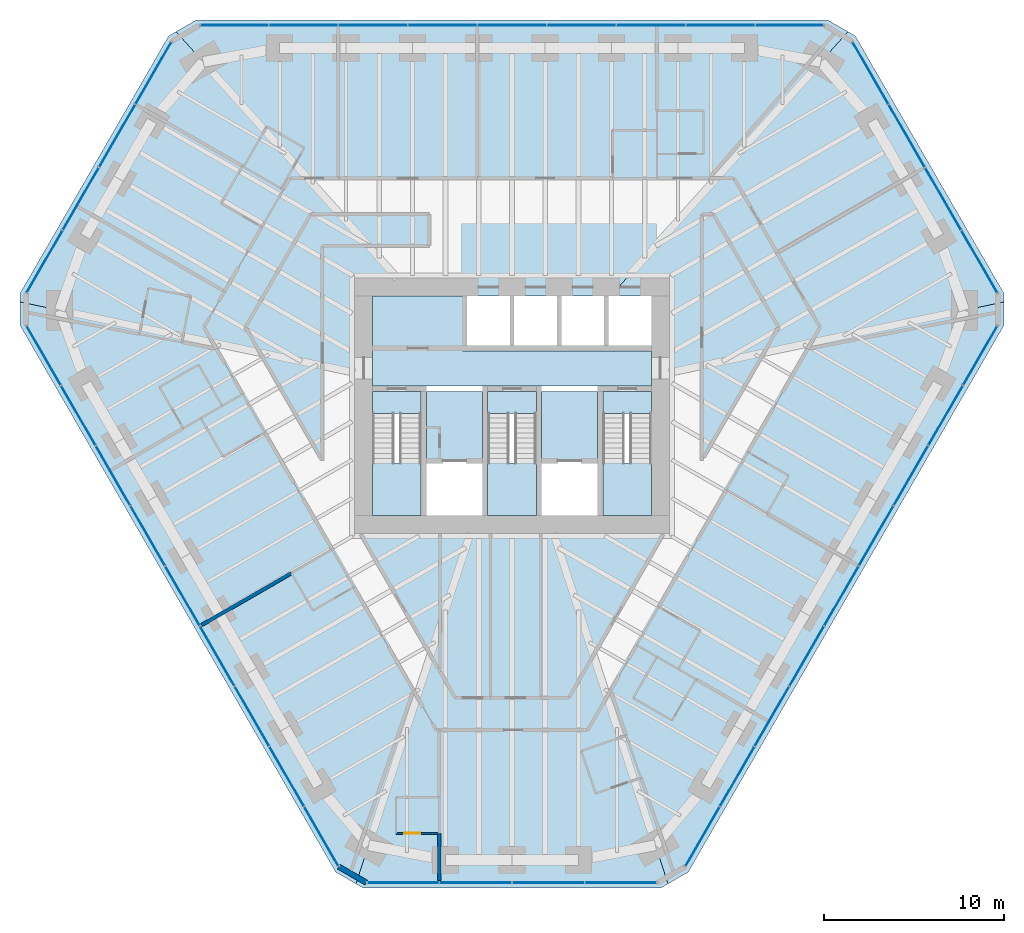
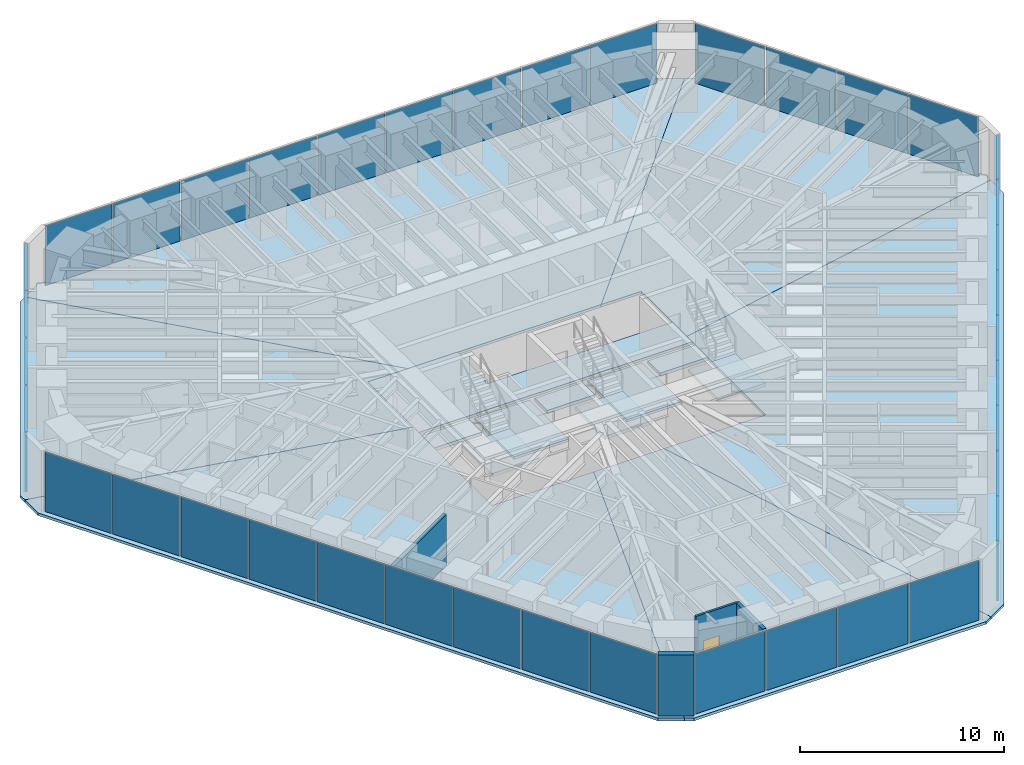
# One storey, part 10 of 16: 39 plates, 15 slabs, 4 walls, 1 door, 1 opening, 9 elements without a shape of their own.
"""IFC4 building model written with IfcOpenShell, lengths in metres."""

from ifc_helpers import new_model, si_unit, direction, frame, frame_2d, origin, origin_2d, place, context, subcontext, project, spatial, polyline, rectangle, outline, extrude, material, layer, layer_set, type_object, element, fill, aggregate, save


model = new_model("IFC4")

# Units and contexts
model_context = context("Model", 3, precision=1e-05, world=origin(), true_north=direction((0.0, 1.0)))
body_context = subcontext(model_context, "Body", "Model", "MODEL_VIEW")
ifc_project = project(units=[si_unit("LENGTHUNIT", "METRE"), si_unit("AREAUNIT", "SQUARE_METRE"), si_unit("VOLUMEUNIT", "CUBIC_METRE"), si_unit("PLANEANGLEUNIT", "RADIAN"), si_unit("MASSUNIT", "GRAM", prefix="KILO")], contexts=[model_context])

# Site, building, storey
site_placement = place(None, origin())
site = spatial("IfcSite", under=ifc_project, at=site_placement, CompositionType="ELEMENT")
building_placement = place(site_placement, origin())
building = spatial("IfcBuilding", under=site, at=building_placement, Name="Sandreach Pilgrim Tower", CompositionType="ELEMENT")
storey_placement = place(building_placement, frame((0.0, 0.0, 225.0)))
storey = spatial("IfcBuildingStorey", under=building, at=storey_placement, Name="L56", CompositionType="ELEMENT", Elevation=225.0)

# Curtain wall, plates
ifc_material_1 = material(Name="Aluminium framed curtain wall", Category="aluminium")
curtain_wall_type = type_object("IfcCurtainWallType", Name="Upper hotel tower curtain wall", PredefinedType="NOTDEFINED", material=ifc_material_1)
curtain_wall_1_placement = place(storey_placement, origin())
curtain_wall_1 = element("IfcCurtainWall", 1, at=curtain_wall_1_placement, inside=storey, type_object=curtain_wall_type, Name="CW-3 L56 N", PredefinedType="NOTDEFINED")
ifc_material_2 = material(Name="Insulating glass unit 12.76 laminated + 20 argon + 12.76 laminated", Category="glass")
ifc_layer_1 = layer(ifc_material_2, 0.0458984375)
ifc_layer_set_1 = layer_set([ifc_layer_1], Name="CW-3 panel")
plate_type = type_object("IfcPlateType", Name="CW-3 panel", PredefinedType="CURTAIN_PANEL", material=ifc_layer_set_1)
plate_1_placement = place(storey_placement, frame((-15.44140625, 21.16015625, 0.0), z_axis=(0.0, 0.0, 1.0), x_axis=(1.0, 0.0, 0.0)))
plate_1 = element("IfcPlate", 2, at=plate_1_placement, type_object=plate_type, Name="CW-3 panel 1", PredefinedType="CURTAIN_PANEL", context=body_context, shape_type="SweptSolid", body=[
    extrude(rectangle(XDim=3.766845703125, YDim=0.0458984375, at=origin_2d()), origin(), (0.0, 0.0, 1.0), 3.570068359375),
])
plate_2_placement = place(storey_placement, frame((-11.59326171875, 21.16015625, 0.0), z_axis=(0.0, 0.0, 1.0), x_axis=(1.0, 0.0, 0.0)))
plate_2 = element("IfcPlate", 3, at=plate_2_placement, type_object=plate_type, Name="CW-3 panel 2", PredefinedType="CURTAIN_PANEL", context=body_context, shape_type="SweptSolid", body=[
    extrude(rectangle(XDim=3.79931640625, YDim=0.0458984375, at=origin_2d()), origin(), (0.0, 0.0, 1.0), 3.570068359375),
])
plate_3_placement = place(storey_placement, frame((-7.728759765625, 21.16015625, 0.0), z_axis=(0.0, 0.0, 1.0), x_axis=(1.0, 0.0, 0.0)))
plate_3 = element("IfcPlate", 4, at=plate_3_placement, type_object=plate_type, Name="CW-3 panel 3", PredefinedType="CURTAIN_PANEL", context=body_context, shape_type="SweptSolid", body=[
    extrude(rectangle(XDim=3.79931640625, YDim=0.0458984375, at=origin_2d()), origin(), (0.0, 0.0, 1.0), 3.570068359375),
])
plate_4_placement = place(storey_placement, frame((-3.864501953125, 21.16015625, 0.0), z_axis=(0.0, 0.0, 1.0), x_axis=(1.0, 0.0, 0.0)))
plate_4 = element("IfcPlate", 5, at=plate_4_placement, type_object=plate_type, Name="CW-3 panel 4", PredefinedType="CURTAIN_PANEL", context=body_context, shape_type="SweptSolid", body=[
    extrude(rectangle(XDim=3.79931640625, YDim=0.0458984375, at=origin_2d()), origin(), (0.0, 0.0, 1.0), 3.570068359375),
])
plate_5_placement = place(storey_placement, frame((0.0, 21.16015625, 0.0), z_axis=(0.0, 0.0, 1.0), x_axis=(1.0, 0.0, 0.0)))
plate_5 = element("IfcPlate", 6, at=plate_5_placement, type_object=plate_type, Name="CW-3 panel 5", PredefinedType="CURTAIN_PANEL", context=body_context, shape_type="SweptSolid", body=[
    extrude(rectangle(XDim=3.79931640625, YDim=0.0458984375, at=origin_2d()), origin(), (0.0, 0.0, 1.0), 3.570068359375),
])
plate_6_placement = place(storey_placement, frame((3.864501953125, 21.16015625, 0.0), z_axis=(0.0, 0.0, 1.0), x_axis=(1.0, 0.0, 0.0)))
plate_6 = element("IfcPlate", 7, at=plate_6_placement, type_object=plate_type, Name="CW-3 panel 6", PredefinedType="CURTAIN_PANEL", context=body_context, shape_type="SweptSolid", body=[
    extrude(rectangle(XDim=3.79931640625, YDim=0.0458984375, at=origin_2d()), origin(), (0.0, 0.0, 1.0), 3.570068359375),
])
plate_7_placement = place(storey_placement, frame((7.728759765625, 21.16015625, 0.0), z_axis=(0.0, 0.0, 1.0), x_axis=(1.0, 0.0, 0.0)))
plate_7 = element("IfcPlate", 8, at=plate_7_placement, type_object=plate_type, Name="CW-3 panel 7", PredefinedType="CURTAIN_PANEL", context=body_context, shape_type="SweptSolid", body=[
    extrude(rectangle(XDim=3.79931640625, YDim=0.0458984375, at=origin_2d()), origin(), (0.0, 0.0, 1.0), 3.570068359375),
])
plate_8_placement = place(storey_placement, frame((11.59326171875, 21.16015625, 0.0), z_axis=(0.0, 0.0, 1.0), x_axis=(1.0, 0.0, 0.0)))
plate_8 = element("IfcPlate", 9, at=plate_8_placement, type_object=plate_type, Name="CW-3 panel 8", PredefinedType="CURTAIN_PANEL", context=body_context, shape_type="SweptSolid", body=[
    extrude(rectangle(XDim=3.79931640625, YDim=0.0458984375, at=origin_2d()), origin(), (0.0, 0.0, 1.0), 3.570068359375),
])
plate_9_placement = place(storey_placement, frame((15.44140625, 21.16015625, 0.0), z_axis=(0.0, 0.0, 1.0), x_axis=(1.0, 0.0, 0.0)))
plate_9 = element("IfcPlate", 10, at=plate_9_placement, type_object=plate_type, Name="CW-3 panel 9", PredefinedType="CURTAIN_PANEL", context=body_context, shape_type="SweptSolid", body=[
    extrude(rectangle(XDim=3.766845703125, YDim=0.0458984375, at=origin_2d()), origin(), (0.0, 0.0, 1.0), 3.570068359375),
])
aggregate(curtain_wall_1, [plate_1, plate_2, plate_3, plate_4, plate_5, plate_6, plate_7, plate_8, plate_9])

curtain_wall_2_placement = place(storey_placement, origin())
curtain_wall_2 = element("IfcCurtainWall", 11, at=curtain_wall_2_placement, inside=storey, type_object=curtain_wall_type, Name="CW-3 L56 NE", PredefinedType="NOTDEFINED")
plate_10_placement = place(storey_placement, frame((19.943115234375, 18.5078125, 0.0), z_axis=(0.0, 0.0, 1.0), x_axis=(0.5, -0.866025403784, 0.0)))
plate_10 = element("IfcPlate", 12, at=plate_10_placement, type_object=plate_type, Name="CW-3 panel 1", PredefinedType="CURTAIN_PANEL", context=body_context, shape_type="SweptSolid", body=[
    extrude(rectangle(XDim=3.951171875, YDim=0.0458984375, at=origin_2d()), origin(), (0.0, 0.0, 1.0), 3.570068359375),
])
plate_11_placement = place(storey_placement, frame((21.959228515625, 15.015625, 0.0), z_axis=(0.0, 0.0, 1.0), x_axis=(0.5, -0.866025403784, 0.0)))
plate_11 = element("IfcPlate", 13, at=plate_11_placement, type_object=plate_type, Name="CW-3 panel 2", PredefinedType="CURTAIN_PANEL", context=body_context, shape_type="SweptSolid", body=[
    extrude(rectangle(XDim=3.983642578125, YDim=0.0458984375, at=origin_2d()), origin(), (0.0, 0.0, 1.0), 3.570068359375),
])
plate_12_placement = place(storey_placement, frame((23.983642578125, 11.509521484375, 0.0), z_axis=(0.0, 0.0, 1.0), x_axis=(0.5, -0.866025403784, 0.0)))
plate_12 = element("IfcPlate", 14, at=plate_12_placement, type_object=plate_type, Name="CW-3 panel 3", PredefinedType="CURTAIN_PANEL", context=body_context, shape_type="SweptSolid", body=[
    extrude(rectangle(XDim=3.983642578125, YDim=0.0458984375, at=origin_2d()), origin(), (0.0, 0.0, 1.0), 3.570068359375),
])
plate_13_placement = place(storey_placement, frame((25.999755859375, 8.017333984375, 0.0), z_axis=(0.0, 0.0, 1.0), x_axis=(0.5, -0.866025403784, 0.0)))
plate_13 = element("IfcPlate", 15, at=plate_13_placement, type_object=plate_type, Name="CW-3 panel 4", PredefinedType="CURTAIN_PANEL", context=body_context, shape_type="SweptSolid", body=[
    extrude(rectangle(XDim=3.951171875, YDim=0.0458984375, at=origin_2d()), origin(), (0.0, 0.0, 1.0), 3.570068359375),
])
aggregate(curtain_wall_2, [plate_10, plate_11, plate_12, plate_13])

curtain_wall_3_placement = place(storey_placement, origin())
curtain_wall_3 = element("IfcCurtainWall", 16, at=curtain_wall_3_placement, inside=storey, type_object=curtain_wall_type, Name="CW-3 L56 SE", PredefinedType="NOTDEFINED")
plate_14_placement = place(storey_placement, frame((26.0458984375, 2.792724609375, 0.0), z_axis=(0.0, 0.0, 1.0), x_axis=(-0.5, -0.866025403784, 0.0)))
plate_14 = element("IfcPlate", 17, at=plate_14_placement, type_object=plate_type, Name="CW-3 panel 1", PredefinedType="CURTAIN_PANEL", context=body_context, shape_type="SweptSolid", body=[
    extrude(rectangle(XDim=3.766845703125, YDim=0.0458984375, at=origin_2d()), origin(), (0.0, 0.0, 1.0), 3.570068359375),
])
plate_15_placement = place(storey_placement, frame((24.121826171875, -0.5400390625, 0.0), z_axis=(0.0, 0.0, 1.0), x_axis=(-0.5, -0.866025403784, 0.0)))
plate_15 = element("IfcPlate", 18, at=plate_15_placement, type_object=plate_type, Name="CW-3 panel 2", PredefinedType="CURTAIN_PANEL", context=body_context, shape_type="SweptSolid", body=[
    extrude(rectangle(XDim=3.79931640625, YDim=0.0458984375, at=origin_2d()), origin(), (0.0, 0.0, 1.0), 3.570068359375),
])
plate_16_placement = place(storey_placement, frame((22.189697265625, -3.88671875, 0.0), z_axis=(0.0, 0.0, 1.0), x_axis=(-0.5, -0.866025403784, 0.0)))
plate_16 = element("IfcPlate", 19, at=plate_16_placement, type_object=plate_type, Name="CW-3 panel 3", PredefinedType="CURTAIN_PANEL", context=body_context, shape_type="SweptSolid", body=[
    extrude(rectangle(XDim=3.79931640625, YDim=0.0458984375, at=origin_2d()), origin(), (0.0, 0.0, 1.0), 3.570068359375),
])
plate_17_placement = place(storey_placement, frame((20.25732421875, -7.2333984375, 0.0), z_axis=(0.0, 0.0, 1.0), x_axis=(-0.5, -0.866025403784, 0.0)))
plate_17 = element("IfcPlate", 20, at=plate_17_placement, type_object=plate_type, Name="CW-3 panel 4", PredefinedType="CURTAIN_PANEL", context=body_context, shape_type="SweptSolid", body=[
    extrude(rectangle(XDim=3.79931640625, YDim=0.0458984375, at=origin_2d()), origin(), (0.0, 0.0, 1.0), 3.570068359375),
])
plate_18_placement = place(storey_placement, frame((18.3251953125, -10.580078125, 0.0), z_axis=(0.0, 0.0, 1.0), x_axis=(-0.5, -0.866025403784, 0.0)))
plate_18 = element("IfcPlate", 21, at=plate_18_placement, type_object=plate_type, Name="CW-3 panel 5", PredefinedType="CURTAIN_PANEL", context=body_context, shape_type="SweptSolid", body=[
    extrude(rectangle(XDim=3.79931640625, YDim=0.0458984375, at=origin_2d()), origin(), (0.0, 0.0, 1.0), 3.570068359375),
])
plate_19_placement = place(storey_placement, frame((16.39306640625, -13.9267578125, 0.0), z_axis=(0.0, 0.0, 1.0), x_axis=(-0.5, -0.866025403784, 0.0)))
plate_19 = element("IfcPlate", 22, at=plate_19_placement, type_object=plate_type, Name="CW-3 panel 6", PredefinedType="CURTAIN_PANEL", context=body_context, shape_type="SweptSolid", body=[
    extrude(rectangle(XDim=3.79931640625, YDim=0.0458984375, at=origin_2d()), origin(), (0.0, 0.0, 1.0), 3.570068359375),
])
plate_20_placement = place(storey_placement, frame((14.460693359375, -17.2734375, 0.0), z_axis=(0.0, 0.0, 1.0), x_axis=(-0.5, -0.866025403784, 0.0)))
plate_20 = element("IfcPlate", 23, at=plate_20_placement, type_object=plate_type, Name="CW-3 panel 7", PredefinedType="CURTAIN_PANEL", context=body_context, shape_type="SweptSolid", body=[
    extrude(rectangle(XDim=3.79931640625, YDim=0.0458984375, at=origin_2d()), origin(), (0.0, 0.0, 1.0), 3.570068359375),
])
plate_21_placement = place(storey_placement, frame((12.528564453125, -20.6201171875, 0.0), z_axis=(0.0, 0.0, 1.0), x_axis=(-0.5, -0.866025403784, 0.0)))
plate_21 = element("IfcPlate", 24, at=plate_21_placement, type_object=plate_type, Name="CW-3 panel 8", PredefinedType="CURTAIN_PANEL", context=body_context, shape_type="SweptSolid", body=[
    extrude(rectangle(XDim=3.79931640625, YDim=0.0458984375, at=origin_2d()), origin(), (0.0, 0.0, 1.0), 3.570068359375),
])
plate_22_placement = place(storey_placement, frame((10.6044921875, -23.95263671875, 0.0), z_axis=(0.0, 0.0, 1.0), x_axis=(-0.5, -0.866025403784, 0.0)))
plate_22 = element("IfcPlate", 25, at=plate_22_placement, type_object=plate_type, Name="CW-3 panel 9", PredefinedType="CURTAIN_PANEL", context=body_context, shape_type="SweptSolid", body=[
    extrude(rectangle(XDim=3.766845703125, YDim=0.0458984375, at=origin_2d()), origin(), (0.0, 0.0, 1.0), 3.570068359375),
])
aggregate(curtain_wall_3, [plate_14, plate_15, plate_16, plate_17, plate_18, plate_19, plate_20, plate_21, plate_22])

curtain_wall_4_placement = place(storey_placement, origin())
curtain_wall_4 = element("IfcCurtainWall", 26, at=curtain_wall_4_placement, inside=storey, type_object=curtain_wall_type, Name="CW-3 L56 S", PredefinedType="NOTDEFINED")
plate_23_placement = place(storey_placement, frame((6.056884765625, -26.525146484375, 0.0), z_axis=(0.0, 0.0, 1.0), x_axis=(-1.0, 0.0, 0.0)))
plate_23 = element("IfcPlate", 27, at=plate_23_placement, type_object=plate_type, Name="CW-3 panel 1", PredefinedType="CURTAIN_PANEL", context=body_context, shape_type="SweptSolid", body=[
    extrude(rectangle(XDim=3.951171875, YDim=0.0458984375, at=origin_2d()), origin(), (0.0, 0.0, 1.0), 3.570068359375),
])
plate_24_placement = place(storey_placement, frame((2.0244140625, -26.525146484375, 0.0), z_axis=(0.0, 0.0, 1.0), x_axis=(-1.0, 0.0, 0.0)))
plate_24 = element("IfcPlate", 28, at=plate_24_placement, type_object=plate_type, Name="CW-3 panel 2", PredefinedType="CURTAIN_PANEL", context=body_context, shape_type="SweptSolid", body=[
    extrude(rectangle(XDim=3.983642578125, YDim=0.0458984375, at=origin_2d()), origin(), (0.0, 0.0, 1.0), 3.570068359375),
])
plate_25_placement = place(storey_placement, frame((-2.0244140625, -26.525146484375, 0.0), z_axis=(0.0, 0.0, 1.0), x_axis=(-1.0, 0.0, 0.0)))
plate_25 = element("IfcPlate", 29, at=plate_25_placement, type_object=plate_type, Name="CW-3 panel 3", PredefinedType="CURTAIN_PANEL", context=body_context, shape_type="SweptSolid", body=[
    extrude(rectangle(XDim=3.983642578125, YDim=0.0458984375, at=origin_2d()), origin(), (0.0, 0.0, 1.0), 3.570068359375),
])
plate_26_placement = place(storey_placement, frame((-6.056884765625, -26.525146484375, 0.0), z_axis=(0.0, 0.0, 1.0), x_axis=(-1.0, 0.0, 0.0)))
plate_26 = element("IfcPlate", 30, at=plate_26_placement, type_object=plate_type, Name="CW-3 panel 4", PredefinedType="CURTAIN_PANEL", context=body_context, shape_type="SweptSolid", body=[
    extrude(rectangle(XDim=3.951171875, YDim=0.0458984375, at=origin_2d()), origin(), (0.0, 0.0, 1.0), 3.570068359375),
])
aggregate(curtain_wall_4, [plate_23, plate_24, plate_25, plate_26])

curtain_wall_5_placement = place(storey_placement, origin())
curtain_wall_5 = element("IfcCurtainWall", 31, at=curtain_wall_5_placement, inside=storey, type_object=curtain_wall_type, Name="CW-3 L56 SW", PredefinedType="NOTDEFINED")
plate_27_placement = place(storey_placement, frame((-10.6044921875, -23.95263671875, 0.0), z_axis=(0.0, 0.0, 1.0), x_axis=(-0.5, 0.866025403784, 0.0)))
plate_27 = element("IfcPlate", 32, at=plate_27_placement, type_object=plate_type, Name="CW-3 panel 1", PredefinedType="CURTAIN_PANEL", context=body_context, shape_type="SweptSolid", body=[
    extrude(rectangle(XDim=3.766845703125, YDim=0.0458984375, at=origin_2d()), origin(), (0.0, 0.0, 1.0), 3.570068359375),
])
plate_28_placement = place(storey_placement, frame((-12.528564453125, -20.6201171875, 0.0), z_axis=(0.0, 0.0, 1.0), x_axis=(-0.5, 0.866025403784, 0.0)))
plate_28 = element("IfcPlate", 33, at=plate_28_placement, type_object=plate_type, Name="CW-3 panel 2", PredefinedType="CURTAIN_PANEL", context=body_context, shape_type="SweptSolid", body=[
    extrude(rectangle(XDim=3.79931640625, YDim=0.0458984375, at=origin_2d()), origin(), (0.0, 0.0, 1.0), 3.570068359375),
])
plate_29_placement = place(storey_placement, frame((-14.460693359375, -17.2734375, 0.0), z_axis=(0.0, 0.0, 1.0), x_axis=(-0.5, 0.866025403784, 0.0)))
plate_29 = element("IfcPlate", 34, at=plate_29_placement, type_object=plate_type, Name="CW-3 panel 3", PredefinedType="CURTAIN_PANEL", context=body_context, shape_type="SweptSolid", body=[
    extrude(rectangle(XDim=3.79931640625, YDim=0.0458984375, at=origin_2d()), origin(), (0.0, 0.0, 1.0), 3.570068359375),
])
plate_30_placement = place(storey_placement, frame((-16.39306640625, -13.9267578125, 0.0), z_axis=(0.0, 0.0, 1.0), x_axis=(-0.5, 0.866025403784, 0.0)))
plate_30 = element("IfcPlate", 35, at=plate_30_placement, type_object=plate_type, Name="CW-3 panel 4", PredefinedType="CURTAIN_PANEL", context=body_context, shape_type="SweptSolid", body=[
    extrude(rectangle(XDim=3.79931640625, YDim=0.0458984375, at=origin_2d()), origin(), (0.0, 0.0, 1.0), 3.570068359375),
])
plate_31_placement = place(storey_placement, frame((-18.3251953125, -10.580078125, 0.0), z_axis=(0.0, 0.0, 1.0), x_axis=(-0.5, 0.866025403784, 0.0)))
plate_31 = element("IfcPlate", 36, at=plate_31_placement, type_object=plate_type, Name="CW-3 panel 5", PredefinedType="CURTAIN_PANEL", context=body_context, shape_type="SweptSolid", body=[
    extrude(rectangle(XDim=3.79931640625, YDim=0.0458984375, at=origin_2d()), origin(), (0.0, 0.0, 1.0), 3.570068359375),
])
plate_32_placement = place(storey_placement, frame((-20.25732421875, -7.2333984375, 0.0), z_axis=(0.0, 0.0, 1.0), x_axis=(-0.5, 0.866025403784, 0.0)))
plate_32 = element("IfcPlate", 37, at=plate_32_placement, type_object=plate_type, Name="CW-3 panel 6", PredefinedType="CURTAIN_PANEL", context=body_context, shape_type="SweptSolid", body=[
    extrude(rectangle(XDim=3.79931640625, YDim=0.0458984375, at=origin_2d()), origin(), (0.0, 0.0, 1.0), 3.570068359375),
])
plate_33_placement = place(storey_placement, frame((-22.189697265625, -3.88671875, 0.0), z_axis=(0.0, 0.0, 1.0), x_axis=(-0.5, 0.866025403784, 0.0)))
plate_33 = element("IfcPlate", 38, at=plate_33_placement, type_object=plate_type, Name="CW-3 panel 7", PredefinedType="CURTAIN_PANEL", context=body_context, shape_type="SweptSolid", body=[
    extrude(rectangle(XDim=3.79931640625, YDim=0.0458984375, at=origin_2d()), origin(), (0.0, 0.0, 1.0), 3.570068359375),
])
plate_34_placement = place(storey_placement, frame((-24.121826171875, -0.5400390625, 0.0), z_axis=(0.0, 0.0, 1.0), x_axis=(-0.5, 0.866025403784, 0.0)))
plate_34 = element("IfcPlate", 39, at=plate_34_placement, type_object=plate_type, Name="CW-3 panel 8", PredefinedType="CURTAIN_PANEL", context=body_context, shape_type="SweptSolid", body=[
    extrude(rectangle(XDim=3.79931640625, YDim=0.0458984375, at=origin_2d()), origin(), (0.0, 0.0, 1.0), 3.570068359375),
])
plate_35_placement = place(storey_placement, frame((-26.0458984375, 2.792724609375, 0.0), z_axis=(0.0, 0.0, 1.0), x_axis=(-0.5, 0.866025403784, 0.0)))
plate_35 = element("IfcPlate", 40, at=plate_35_placement, type_object=plate_type, Name="CW-3 panel 9", PredefinedType="CURTAIN_PANEL", context=body_context, shape_type="SweptSolid", body=[
    extrude(rectangle(XDim=3.766845703125, YDim=0.0458984375, at=origin_2d()), origin(), (0.0, 0.0, 1.0), 3.570068359375),
])
aggregate(curtain_wall_5, [plate_27, plate_28, plate_29, plate_30, plate_31, plate_32, plate_33, plate_34, plate_35])

curtain_wall_6_placement = place(storey_placement, origin())
curtain_wall_6 = element("IfcCurtainWall", 41, at=curtain_wall_6_placement, inside=storey, type_object=curtain_wall_type, Name="CW-3 L56 NW", PredefinedType="NOTDEFINED")
plate_36_placement = place(storey_placement, frame((-25.999755859375, 8.017333984375, 0.0), z_axis=(0.0, 0.0, 1.0), x_axis=(0.5, 0.866025403784, 0.0)))
plate_36 = element("IfcPlate", 42, at=plate_36_placement, type_object=plate_type, Name="CW-3 panel 1", PredefinedType="CURTAIN_PANEL", context=body_context, shape_type="SweptSolid", body=[
    extrude(rectangle(XDim=3.951171875, YDim=0.0458984375, at=origin_2d()), origin(), (0.0, 0.0, 1.0), 3.570068359375),
])
plate_37_placement = place(storey_placement, frame((-23.983642578125, 11.509521484375, 0.0), z_axis=(0.0, 0.0, 1.0), x_axis=(0.5, 0.866025403784, 0.0)))
plate_37 = element("IfcPlate", 43, at=plate_37_placement, type_object=plate_type, Name="CW-3 panel 2", PredefinedType="CURTAIN_PANEL", context=body_context, shape_type="SweptSolid", body=[
    extrude(rectangle(XDim=3.983642578125, YDim=0.0458984375, at=origin_2d()), origin(), (0.0, 0.0, 1.0), 3.570068359375),
])
plate_38_placement = place(storey_placement, frame((-21.959228515625, 15.015625, 0.0), z_axis=(0.0, 0.0, 1.0), x_axis=(0.5, 0.866025403784, 0.0)))
plate_38 = element("IfcPlate", 44, at=plate_38_placement, type_object=plate_type, Name="CW-3 panel 3", PredefinedType="CURTAIN_PANEL", context=body_context, shape_type="SweptSolid", body=[
    extrude(rectangle(XDim=3.983642578125, YDim=0.0458984375, at=origin_2d()), origin(), (0.0, 0.0, 1.0), 3.570068359375),
])
plate_39_placement = place(storey_placement, frame((-19.943115234375, 18.5078125, 0.0), z_axis=(0.0, 0.0, 1.0), x_axis=(0.5, 0.866025403784, 0.0)))
plate_39 = element("IfcPlate", 45, at=plate_39_placement, type_object=plate_type, Name="CW-3 panel 4", PredefinedType="CURTAIN_PANEL", context=body_context, shape_type="SweptSolid", body=[
    extrude(rectangle(XDim=3.951171875, YDim=0.0458984375, at=origin_2d()), origin(), (0.0, 0.0, 1.0), 3.570068359375),
])
aggregate(curtain_wall_6, [plate_36, plate_37, plate_38, plate_39])

# Slabs
ifc_material_3 = material(Name="Concrete 8000 psi", Category="concrete")
ifc_layer_2 = layer(ifc_material_3, 0.159912109375)
ifc_layer_set_2 = layer_set([ifc_layer_2], Name="Composite floor slab 160")
slab_type_1 = type_object("IfcSlabType", Name="Composite floor slab 160", PredefinedType="FLOOR", material=ifc_layer_set_2)
slab_1_placement = place(storey_placement, frame((0.0, 0.0, -0.159912109375)))
element("IfcSlab", 46, at=slab_1_placement, inside=storey, type_object=slab_type_1, Name="Floor slab L56 N sector", PredefinedType="FLOOR", context=body_context, shape_type="SweptSolid", body=[
    extrude(outline(polyline([(-17.56298828125, 21.460205078125), (17.56298828125, 21.460205078125), (18.68701171875, 20.81103515625), (5.477294921875, 6.10009765625), (-5.477294921875, 6.10009765625), (-18.68701171875, 20.81103515625), (-17.56298828125, 21.460205078125)])), origin(), (0.0, 0.0, 1.0), 0.159912109375),
])
slab_2_placement = place(storey_placement, frame((0.0, 0.0, -0.159912109375)))
element("IfcSlab", 47, at=slab_2_placement, inside=storey, type_object=slab_type_1, Name="Floor slab L56 NE sector", PredefinedType="FLOOR", context=body_context, shape_type="SweptSolid", body=[
    extrude(outline(polyline([(19.095947265625, 20.5751953125), (27.366455078125, 6.25), (27.366455078125, 5.778076171875), (7.75, 1.63623046875), (7.75, 6.10009765625), (5.477294921875, 6.10009765625), (18.68701171875, 20.81103515625), (19.095947265625, 20.5751953125)])), origin(), (0.0, 0.0, 1.0), 0.159912109375),
])
slab_3_placement = place(storey_placement, frame((0.0, 0.0, -0.159912109375)))
element("IfcSlab", 48, at=slab_3_placement, inside=storey, type_object=slab_type_1, Name="Floor slab L56 SE sector", PredefinedType="FLOOR", context=body_context, shape_type="SweptSolid", body=[
    extrude(outline(polyline([(27.366455078125, 4.47998046875), (9.803466796875, -25.940185546875), (8.679443359375, -26.589111328125), (1.9912109375, -6.10009765625), (7.75, -6.10009765625), (7.75, 1.63623046875), (27.366455078125, 5.778076171875), (27.366455078125, 4.47998046875)])), origin(), (0.0, 0.0, 1.0), 0.159912109375),
])
slab_4_placement = place(storey_placement, frame((0.0, 0.0, -0.159912109375)))
element("IfcSlab", 49, at=slab_4_placement, inside=storey, type_object=slab_type_1, Name="Floor slab L56 S sector", PredefinedType="FLOOR", context=body_context, shape_type="SweptSolid", body=[
    extrude(outline(polyline([(8.2705078125, -26.8251953125), (-8.2705078125, -26.8251953125), (-8.679443359375, -26.589111328125), (-1.9912109375, -6.10009765625), (1.9912109375, -6.10009765625), (8.679443359375, -26.589111328125), (8.2705078125, -26.8251953125)])), origin(), (0.0, 0.0, 1.0), 0.159912109375),
])
slab_5_placement = place(storey_placement, frame((0.0, 0.0, -0.159912109375)))
element("IfcSlab", 50, at=slab_5_placement, inside=storey, type_object=slab_type_1, Name="Floor slab L56 SW sector", PredefinedType="FLOOR", context=body_context, shape_type="SweptSolid", body=[
    extrude(outline(polyline([(-9.803466796875, -25.940185546875), (-27.366455078125, 4.47998046875), (-27.366455078125, 5.778076171875), (-7.75, 1.63623046875), (-7.75, -6.10009765625), (-1.9912109375, -6.10009765625), (-8.679443359375, -26.589111328125), (-9.803466796875, -25.940185546875)])), origin(), (0.0, 0.0, 1.0), 0.159912109375),
])
slab_6_placement = place(storey_placement, frame((0.0, 0.0, -0.159912109375)))
element("IfcSlab", 51, at=slab_6_placement, inside=storey, type_object=slab_type_1, Name="Floor slab L56 NW sector", PredefinedType="FLOOR", context=body_context, shape_type="SweptSolid", body=[
    extrude(outline(polyline([(-27.366455078125, 6.25), (-19.095947265625, 20.5751953125), (-18.68701171875, 20.81103515625), (-5.477294921875, 6.10009765625), (-7.75, 6.10009765625), (-7.75, 1.63623046875), (-27.366455078125, 5.778076171875), (-27.366455078125, 6.25)])), origin(), (0.0, 0.0, 1.0), 0.159912109375),
])
slab_7_placement = place(storey_placement, frame((0.0, 0.0, -0.159912109375)))
element("IfcSlab", 52, at=slab_7_placement, inside=storey, type_object=slab_type_1, Name="Core floor slab and stores L56", PredefinedType="FLOOR", context=body_context, shape_type="SweptSolid", body=[
    extrude(outline(polyline([(-2.75, 3.35009765625), (-2.75, 3.050048828125), (-0.125, 3.050048828125), (0.125, 3.050048828125), (2.5, 3.050048828125), (2.75, 3.050048828125), (5.125, 3.050048828125), (5.375, 3.050048828125), (7.75, 3.050048828125), (7.75, 1.10009765625), (5.050048828125, 1.10009765625), (4.75, 1.10009765625), (1.64990234375, 1.10009765625), (1.35009765625, 1.10009765625), (-1.35009765625, 1.10009765625), (-1.64990234375, 1.10009765625), (-4.75, 1.10009765625), (-5.050048828125, 1.10009765625), (-7.75, 1.10009765625), (-7.75, 6.10009765625), (-2.64990234375, 6.10009765625), (-2.64990234375, 3.35009765625), (-2.75, 3.35009765625)])), origin(), (0.0, 0.0, 1.0), 0.159912109375),
])
slab_8_placement = place(storey_placement, frame((0.0, 0.0, -0.159912109375)))
element("IfcSlab", 53, at=slab_8_placement, inside=storey, type_object=slab_type_1, Name="Core floor slab and stores L56 2", PredefinedType="FLOOR", context=body_context, shape_type="SweptSolid", body=[
    extrude(outline(polyline([(-1.64990234375, -3.050048828125), (-4.75, -3.050048828125), (-4.75, 0.800048828125), (-1.64990234375, 0.800048828125), (-1.64990234375, -3.050048828125)])), origin(), (0.0, 0.0, 1.0), 0.159912109375),
])
slab_9_placement = place(storey_placement, frame((0.0, 0.0, -0.159912109375)))
element("IfcSlab", 54, at=slab_9_placement, inside=storey, type_object=slab_type_1, Name="Core floor slab and stores L56 3", PredefinedType="FLOOR", context=body_context, shape_type="SweptSolid", body=[
    extrude(outline(polyline([(4.75, -3.050048828125), (1.64990234375, -3.050048828125), (1.64990234375, 0.800048828125), (4.75, 0.800048828125), (4.75, -3.050048828125)])), origin(), (0.0, 0.0, 1.0), 0.159912109375),
])

# Stair, slabs
ifc_material_4 = material(Name="Concrete 8000 psi", Category="concrete")
stair_type = type_object("IfcStairType", Name="Core exit stair", PredefinedType="HALF_TURN_STAIR", material=ifc_material_4)
stair_1_placement = place(storey_placement, origin())
stair_1 = element("IfcStair", 55, at=stair_1_placement, inside=storey, type_object=stair_type, Name="Exit stair ST1 L56", PredefinedType="HALF_TURN_STAIR")
ifc_material_5 = material(Name="Concrete 8000 psi", Category="concrete")
ifc_layer_3 = layer(ifc_material_5, 0.199951171875)
ifc_layer_set_3 = layer_set([ifc_layer_3], Name="Core stair landing 200")
slab_type_2 = type_object("IfcSlabType", Name="Core stair landing 200", PredefinedType="LANDING", material=ifc_layer_set_3)
slab_10_placement = place(storey_placement, frame((0.0, 0.0, -0.199951171875)))
slab_10 = element("IfcSlab", 56, at=slab_10_placement, type_object=slab_type_2, Name="ST1 landing 1", PredefinedType="LANDING", context=body_context, shape_type="SweptSolid", body=[
    extrude(outline(polyline([(-7.75, -0.425048828125), (-5.050048828125, -0.425048828125), (-5.050048828125, 0.800048828125), (-7.75, 0.800048828125), (-7.75, -0.425048828125)])), origin(), (0.0, 0.0, 1.0), 0.199951171875),
])
slab_11_placement = place(storey_placement, frame((0.0, 0.0, 1.699951171875)))
slab_11 = element("IfcSlab", 57, at=slab_11_placement, type_object=slab_type_2, Name="ST1 landing 2", PredefinedType="LANDING", context=body_context, shape_type="SweptSolid", body=[
    extrude(outline(polyline([(-7.75, -6.10009765625), (-5.050048828125, -6.10009765625), (-5.050048828125, -3.175048828125), (-7.75, -3.175048828125), (-7.75, -6.10009765625)])), origin(), (0.0, 0.0, 1.0), 0.199951171875),
])
aggregate(stair_1, [slab_10, slab_11])

stair_2_placement = place(storey_placement, origin())
stair_2 = element("IfcStair", 58, at=stair_2_placement, inside=storey, type_object=stair_type, Name="Exit stair ST3 L56", PredefinedType="HALF_TURN_STAIR")
slab_12_placement = place(storey_placement, frame((0.0, 0.0, -0.199951171875)))
slab_12 = element("IfcSlab", 59, at=slab_12_placement, type_object=slab_type_2, Name="ST3 landing 1", PredefinedType="LANDING", context=body_context, shape_type="SweptSolid", body=[
    extrude(outline(polyline([(-1.35009765625, -0.425048828125), (1.35009765625, -0.425048828125), (1.35009765625, 0.800048828125), (-1.35009765625, 0.800048828125), (-1.35009765625, -0.425048828125)])), origin(), (0.0, 0.0, 1.0), 0.199951171875),
])
slab_13_placement = place(storey_placement, frame((0.0, 0.0, 1.699951171875)))
slab_13 = element("IfcSlab", 60, at=slab_13_placement, type_object=slab_type_2, Name="ST3 landing 2", PredefinedType="LANDING", context=body_context, shape_type="SweptSolid", body=[
    extrude(outline(polyline([(-1.35009765625, -6.10009765625), (1.35009765625, -6.10009765625), (1.35009765625, -3.175048828125), (-1.35009765625, -3.175048828125), (-1.35009765625, -6.10009765625)])), origin(), (0.0, 0.0, 1.0), 0.199951171875),
])
aggregate(stair_2, [slab_12, slab_13])

stair_3_placement = place(storey_placement, origin())
stair_3 = element("IfcStair", 61, at=stair_3_placement, inside=storey, type_object=stair_type, Name="Exit stair ST2 L56", PredefinedType="HALF_TURN_STAIR")
slab_14_placement = place(storey_placement, frame((0.0, 0.0, -0.199951171875)))
slab_14 = element("IfcSlab", 62, at=slab_14_placement, type_object=slab_type_2, Name="ST2 landing 1", PredefinedType="LANDING", context=body_context, shape_type="SweptSolid", body=[
    extrude(outline(polyline([(5.050048828125, -0.425048828125), (7.75, -0.425048828125), (7.75, 0.800048828125), (5.050048828125, 0.800048828125), (5.050048828125, -0.425048828125)])), origin(), (0.0, 0.0, 1.0), 0.199951171875),
])
slab_15_placement = place(storey_placement, frame((0.0, 0.0, 1.699951171875)))
slab_15 = element("IfcSlab", 63, at=slab_15_placement, type_object=slab_type_2, Name="ST2 landing 2", PredefinedType="LANDING", context=body_context, shape_type="SweptSolid", body=[
    extrude(outline(polyline([(5.050048828125, -6.10009765625), (7.75, -6.10009765625), (7.75, -3.175048828125), (5.050048828125, -3.175048828125), (5.050048828125, -6.10009765625)])), origin(), (0.0, 0.0, 1.0), 0.199951171875),
])
aggregate(stair_3, [slab_14, slab_15])

# Wall, opening, door
ifc_material_6 = material(Name="Moisture-resistant gypsum board on steel studs", Category="steel")
ifc_layer_4 = layer(ifc_material_6, 0.1201171875)
ifc_layer_set_4 = layer_set([ifc_layer_4], Name="Bathroom partition 120")
wall_type_1 = type_object("IfcWallType", Name="Bathroom partition 120", PredefinedType="PARTITIONING", material=ifc_layer_set_4)
wall_1_placement = place(storey_placement, frame((-6.449951171875, -23.780029296875, 0.0), z_axis=(0.0, 0.0, 1.0), x_axis=(1.0, 0.0, 0.0)))
wall_1 = element("IfcWall", 64, at=wall_1_placement, inside=storey, type_object=wall_type_1, Name="Bathroom partition L56-046", PredefinedType="PARTITIONING", context=body_context, shape_type="SweptSolid", body=[
    extrude(rectangle(XDim=2.39990234375, YDim=0.1201171875, at=frame_2d((1.199951171875, 0.0))), origin(), (0.0, 0.0, 1.0), 3.639892578125),
])
opening_placement = place(wall_1_placement, frame((0.449951171875, 0.0, 0.0)))
opening = element("IfcOpeningElement", 65, at=opening_placement, cuts=wall_1, Name="Opening D09-10B", PredefinedType="OPENING", context=body_context, shape_type="SweptSolid", body=[
    extrude(rectangle(XDim=0.89990234375, YDim=2.030029296875, at=frame_2d((0.449951171875, 1.01513671875))), frame((0.0, 0.06005859375, 0.0), z_axis=(0.0, -1.0, 0.0), x_axis=(1.0, 0.0, 0.0)), (0.0, 0.0, 1.0), 0.1201171875),
])
ifc_material_7 = material(Name="Timber door, steel frame", Category="steel")
door_type = type_object("IfcDoorType", Name="Bathroom door", OperationType="SINGLE_SWING_LEFT", PredefinedType="DOOR", material=ifc_material_7)
door_placement = place(opening_placement, origin())
door = element("IfcDoor", 66, at=door_placement, inside=storey, type_object=door_type, Name="Door 5610B", OperationType="SINGLE_SWING_LEFT", OverallHeight=2.030029296875, OverallWidth=0.89990234375, PredefinedType="DOOR", context=body_context, shape_type="SweptSolid", body=[
    extrude(rectangle(XDim=0.89990234375, YDim=2.030029296875, at=frame_2d((0.449951171875, 1.01513671875))), frame((0.0, 0.02490234375, 0.0), z_axis=(0.0, -1.0, 0.0), x_axis=(1.0, 0.0, 0.0)), (0.0, 0.0, 1.0), 0.050048828125),
])
fill(opening, door)

# Walls
ifc_material_8 = material(Name="Double steel stud acoustic wall, gypsum board", Category="steel")
ifc_layer_5 = layer(ifc_material_8, 0.199951171875)
ifc_layer_set_5 = layer_set([ifc_layer_5], Name="Party wall 200")
wall_type_2 = type_object("IfcWallType", Name="Party wall 200", PredefinedType="PARTITIONING", material=ifc_layer_set_5)
wall_2_placement = place(storey_placement, frame((-17.256103515625, -12.18994140625, 0.0), z_axis=(0.0, 0.0, 1.0), x_axis=(0.865937714159, 0.500151852138, 0.0)))
element("IfcWall", 67, at=wall_2_placement, inside=storey, type_object=wall_type_2, Name="Party wall L56-015", PredefinedType="PARTITIONING", context=body_context, shape_type="SweptSolid", body=[
    extrude(rectangle(XDim=5.758056640625, YDim=0.199951171875, at=frame_2d((2.87890625, 0.0))), origin(), (0.0, 0.0, 1.0), 3.0380859375),
])
wall_3_placement = place(storey_placement, frame((-4.050048828125, -26.409912109375, 0.0), z_axis=(0.0, 0.0, 1.0), x_axis=(0.0, 1.0, 0.0)))
element("IfcWall", 68, at=wall_3_placement, inside=storey, type_object=wall_type_2, Name="Party wall L56-052", PredefinedType="PARTITIONING", context=body_context, shape_type="SweptSolid", body=[
    extrude(rectangle(XDim=2.6298828125, YDim=0.199951171875, at=frame_2d((1.31494140625, 0.0))), origin(), (0.0, 0.0, 1.0), 3.639892578125),
])
ifc_material_9 = material(Name="Terracotta rainscreen on concrete", Category="masonry")
ifc_layer_6 = layer(ifc_material_9, 0.300048828125)
ifc_layer_set_6 = layer_set([ifc_layer_6], Name="Terracotta chamfer pier")
wall_type_3 = type_object("IfcWallType", Name="Terracotta chamfer pier", PredefinedType="SOLIDWALL", material=ifc_layer_set_6)
wall_4_placement = place(storey_placement, frame((-8.097412109375, -26.525146484375, 0.0), z_axis=(0.0, 0.0, 1.0), x_axis=(-0.866036293601, 0.499981137809, 0.0)))
element("IfcWall", 69, at=wall_4_placement, inside=storey, type_object=wall_type_3, Name="Chamfer pier L56 S", PredefinedType="SOLIDWALL", context=body_context, shape_type="SweptSolid", body=[
    extrude(rectangle(XDim=1.77001953125, YDim=0.300048828125, at=frame_2d((0.885009765625, 0.0))), origin(), (0.0, 0.0, 1.0), 3.639892578125),
])

save(model, "model.ifc")
